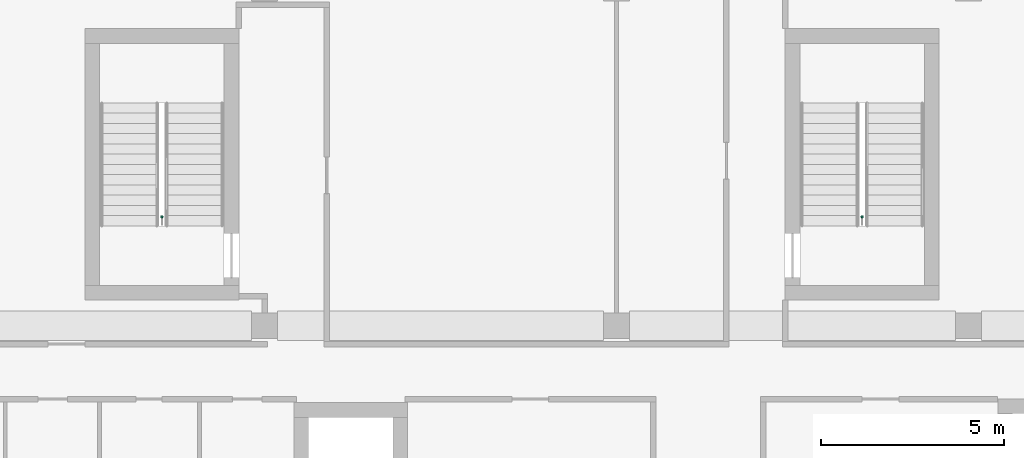
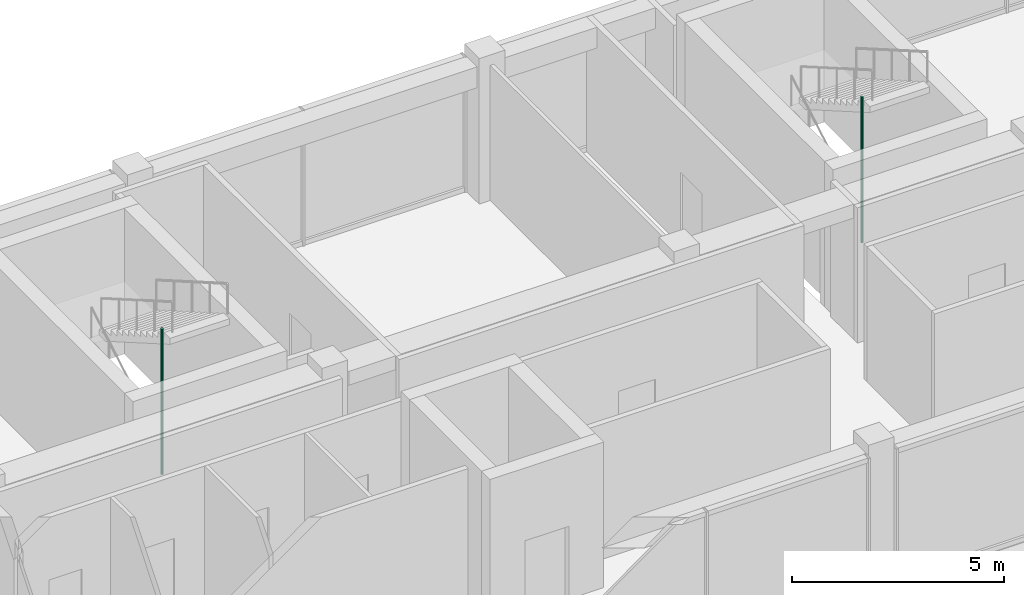
# One storey, part 25 of 27: 2 pipe segments.
"""IFC4 building model written with IfcOpenShell, lengths in metres."""

from ifc_helpers import new_model, si_unit, direction, frame, origin, origin_2d, place, context, subcontext, project, spatial, circle, extrude, element, save


model = new_model("IFC4")

# Units and contexts
model_context = context("Model", 3, precision=1e-05, world=origin(), true_north=direction((0.0, 1.0)))
body_context = subcontext(model_context, "Body", "Model", "MODEL_VIEW")
ifc_project = project(units=[si_unit("LENGTHUNIT", "METRE"), si_unit("AREAUNIT", "SQUARE_METRE"), si_unit("VOLUMEUNIT", "CUBIC_METRE"), si_unit("PLANEANGLEUNIT", "RADIAN"), si_unit("MASSUNIT", "GRAM", prefix="KILO")], contexts=[model_context])

# Site, building, storey
site_placement = place(None, origin())
site = spatial("IfcSite", under=ifc_project, at=site_placement, CompositionType="ELEMENT")
building_placement = place(site_placement, origin())
building = spatial("IfcBuilding", under=site, at=building_placement, Name="Nzadi Deep Aquarium and Research Tower", CompositionType="ELEMENT")
storey_placement = place(building_placement, frame((0.0, 0.0, 69.699951171875)))
storey = spatial("IfcBuildingStorey", under=building, at=storey_placement, Name="L14", CompositionType="ELEMENT", Elevation=69.699951171875)

# Pipe segments
for number, where, z_axis, x_axis, name in (
    (1, (6.800048828125, 39.77001953125, 0.0), (0.0, 0.0, 1.0), (1.0, 0.0, 0.0), "Dry riser ST-Z1-NW L14"),
    (2, (25.89990234375, 39.77001953125, 0.0), (0.0, 0.0, 1.0), (1.0, 0.0, 0.0), "Dry riser ST-Z1-NE L14"),
):
    element("IfcPipeSegment", number, at=place(storey_placement, frame(where, z_axis=z_axis, x_axis=x_axis)), inside=storey, Name=name, PredefinedType="RIGIDSEGMENT", context=body_context, shape_type="SweptSolid", body=[
        extrude(circle(Radius=0.034912109375, at=origin_2d()), origin(), (0.0, 0.0, 1.0), 4.199951171875),
    ])

save(model, "model.ifc")
